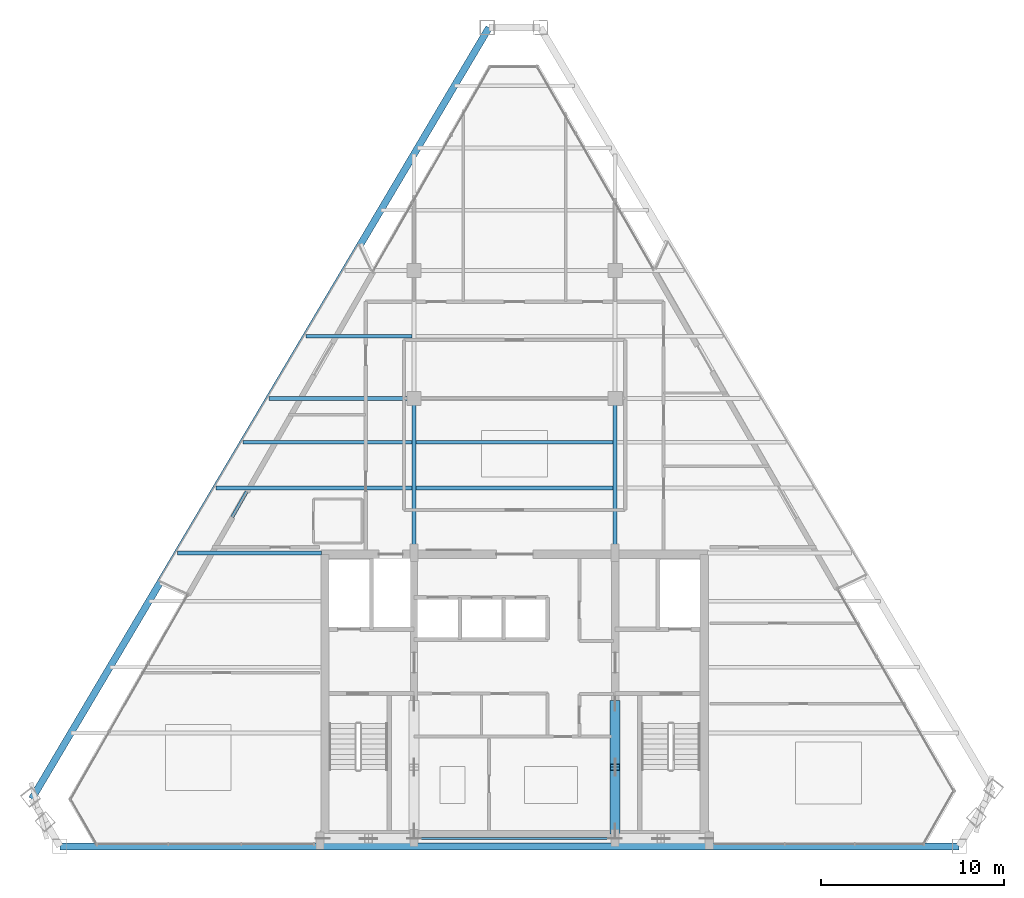
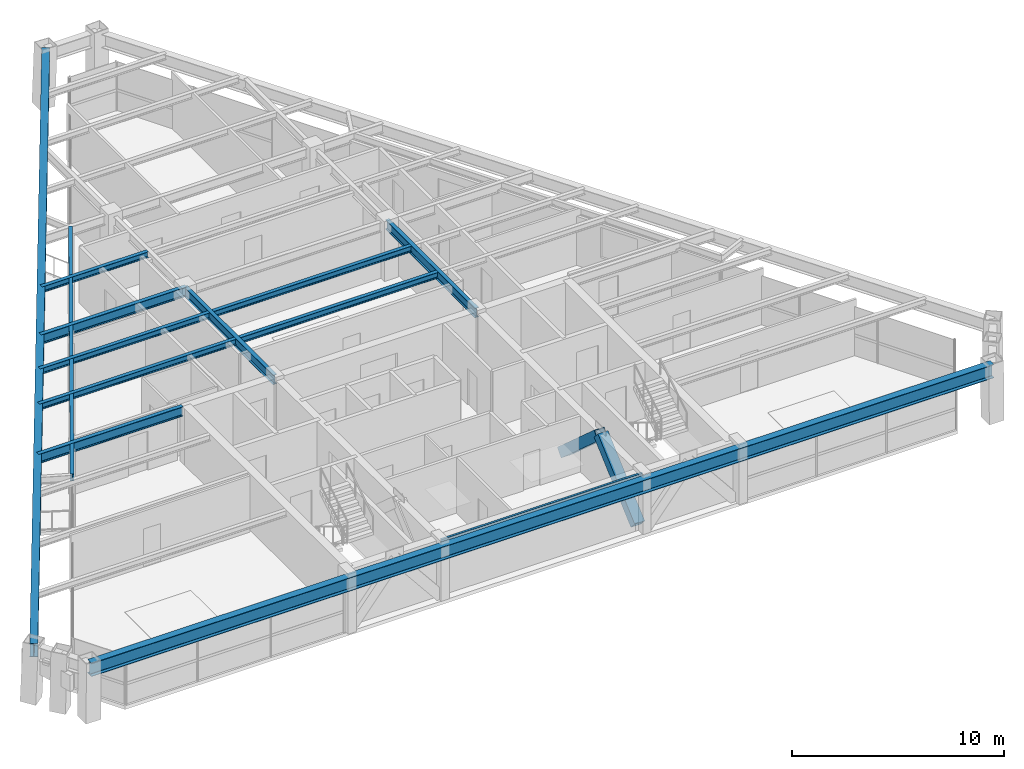
# One storey, part 3 of 13: 13 beams, 2 members.
"""IFC4 building model written with IfcOpenShell, lengths in metres."""

from ifc_helpers import new_model, si_unit, direction, frame, origin, origin_2d, place, context, subcontext, project, spatial, hollow_rectangle, i_section, extrude, source, transform, mapped, material, material_profile, profile_set, type_object, type_shapes, element, save


model = new_model("IFC4")

# Units and contexts
model_context = context("Model", 3, precision=1e-05, world=origin(), true_north=direction((0.0, 1.0)))
body_context = subcontext(model_context, "Body", "Model", "MODEL_VIEW")
ifc_project = project(units=[si_unit("LENGTHUNIT", "METRE"), si_unit("AREAUNIT", "SQUARE_METRE"), si_unit("VOLUMEUNIT", "CUBIC_METRE"), si_unit("PLANEANGLEUNIT", "RADIAN"), si_unit("MASSUNIT", "GRAM", prefix="KILO")], contexts=[model_context])

# Site, building, storey
site_placement = place(None, origin())
site = spatial("IfcSite", under=ifc_project, at=site_placement, CompositionType="ELEMENT")
building_placement = place(site_placement, origin())
building = spatial("IfcBuilding", under=site, at=building_placement, Name="Varnakhor Terracotta Tower", CompositionType="ELEMENT")
storey_placement = place(building_placement, frame((0.0, 0.0, 297.14990234375)))
storey = spatial("IfcBuildingStorey", under=building, at=storey_placement, Name="L78", CompositionType="ELEMENT", Elevation=297.14990234375)

# Beams
ifc_material = material(Name="Steel S355", Category="steel")
ifc_material_profile_1 = material_profile(ifc_material, i_section(OverallWidth=0.1201171875, OverallDepth=0.239990234375, WebThickness=0.006103515625, FlangeThickness=0.009765625, FilletRadius=0.01806640625, at=origin_2d()), Name="IPE240")
ifc_profile_set_1 = profile_set([ifc_material_profile_1], Name="Steel S355")
beam_type_1 = type_object("IfcBeamType", Name="LNT-IPE240", PredefinedType="LINTEL", material=ifc_profile_set_1)
shared_shape_1 = source(origin(), body_context, "Body", "SweptSolid", [
    extrude(i_section(OverallWidth=0.1201171875, OverallDepth=0.239990234375, WebThickness=0.006103515625, FlangeThickness=0.009765625, FilletRadius=0.01806640625, at=origin_2d()), origin(), (0.0, 0.0, 1.0), 11.0),
])
type_shapes(beam_type_1, [shared_shape_1])
beam_1_placement = place(storey_placement, frame((-5.5, 0.419921875, 3.1201171875), z_axis=(1.0, 0.0, 0.0), x_axis=(0.0, 1.0, 0.0)))
element("IfcBeam", 1, at=beam_1_placement, inside=storey, type_object=beam_type_1, Name="L78 Core South Coupling Lintel", PredefinedType="LINTEL", context=body_context, shape_type="MappedRepresentation", body=[
    mapped(shared_shape_1, transform((0.0, 0.0, 0.0), scale=1.0)),
])
ifc_material_profile_2 = material_profile(ifc_material, i_section(OverallWidth=0.214111328125, OverallDepth=0.549072265625, WebThickness=0.014892578125, FlangeThickness=0.02392578125, FilletRadius=0.01806640625, at=origin_2d()), Name="W21X93")
ifc_profile_set_2 = profile_set([ifc_material_profile_2], Name="Steel S355")
beam_type_2 = type_object("IfcBeamType", Name="BM-W21X93", PredefinedType="BEAM", material=ifc_profile_set_2)
shared_shape_2 = source(origin(), body_context, "Body", "SweptSolid", [
    extrude(i_section(OverallWidth=0.214111328125, OverallDepth=0.549072265625, WebThickness=0.014892578125, FlangeThickness=0.02392578125, FilletRadius=0.01806640625, at=origin_2d()), origin(), (0.0, 0.0, 1.0), 8.449951171875),
])
type_shapes(beam_type_2, [shared_shape_2])
for number, where, z_axis, x_axis, name in (
    (2, (-5.5, 16.050048828125, 2.965576171875), (0.0, 1.0, 0.0), (-1.0, 0.0, 0.0), "L78 Primary Girder NS1-W"),
    (3, (5.5, 16.050048828125, 2.965576171875), (0.0, 1.0, 0.0), (-1.0, 0.0, 0.0), "L78 Primary Girder NS1-E"),
):
    element("IfcBeam", number, at=place(storey_placement, frame(where, z_axis=z_axis, x_axis=x_axis)), inside=storey, type_object=beam_type_2, Name=name, PredefinedType="BEAM", context=body_context, shape_type="MappedRepresentation", body=[
        mapped(shared_shape_2, transform((0.0, 0.0, 0.0), scale=1.0)),
    ])
ifc_material_profile_3 = material_profile(ifc_material, i_section(OverallWidth=0.202880859375, OverallDepth=0.346923828125, WebThickness=0.0078125, FlangeThickness=0.013427734375, FilletRadius=0.01806640625, at=origin_2d()), Name="W14X43")
ifc_profile_set_3 = profile_set([ifc_material_profile_3], Name="Steel S355")
beam_type_3 = type_object("IfcBeamType", Name="JST-W14X43", PredefinedType="JOIST", material=ifc_profile_set_3)
shared_shape_3 = source(origin(), body_context, "Body", "SweptSolid", [
    extrude(i_section(OverallWidth=0.202880859375, OverallDepth=0.346923828125, WebThickness=0.0078125, FlangeThickness=0.013427734375, FilletRadius=0.01806640625, at=origin_2d()), origin(), (0.0, 0.0, 1.0), 10.7939453125),
])
for number, where, z_axis, x_axis, name in (
    (4, (-5.39697265625, 19.60009765625, 3.066650390625), (1.0, 0.0, 0.0), (0.0, 1.0, 0.0), "L78 Composite Floor Joist 4-2"),
    (5, (-5.39697265625, 22.10009765625, 3.066650390625), (1.0, 0.0, 0.0), (0.0, 1.0, 0.0), "L78 Composite Floor Joist 5-2"),
):
    element("IfcBeam", number, at=place(storey_placement, frame(where, z_axis=z_axis, x_axis=x_axis)), inside=storey, type_object=beam_type_3, Name=name, PredefinedType="JOIST", context=body_context, shape_type="MappedRepresentation", body=[
        mapped(shared_shape_3, transform((0.0, 0.0, 0.0), scale=1.0)),
    ])

# Members
ifc_material_profile_4 = material_profile(ifc_material, hollow_rectangle(XDim=0.550048828125, YDim=0.550048828125, WallThickness=0.034912109375, at=origin_2d()), Name="HSS550X550X35")
ifc_profile_set_4 = profile_set([ifc_material_profile_4], Name="Steel S355")
member_type = type_object("IfcMemberType", Name="MBR-MEGA-550", PredefinedType="BRACE", material=ifc_profile_set_4)
shared_shape_4 = source(origin(), body_context, "Body", "SweptSolid", [
    extrude(hollow_rectangle(XDim=0.550048828125, YDim=0.550048828125, WallThickness=0.034912109375, at=origin_2d()), origin(), (0.0, 0.0, 1.0), 4.650146484375),
])
for number, where, z_axis, x_axis, name in (
    (6, (5.5, 0.85009765625, 0.0), (0.0, 0.74726736397, 0.664523503532), (-1.0, 0.0, 0.0), "L78 Core Coupled Brace CWEA"),
    (7, (5.5, 7.800048828125, 0.0), (0.0, -0.74729054724, 0.664497432655), (1.0, 0.0, 0.0), "L78 Core Coupled Brace CWEB"),
):
    element("IfcMember", number, at=place(storey_placement, frame(where, z_axis=z_axis, x_axis=x_axis)), inside=storey, type_object=member_type, Name=name, PredefinedType="BRACE", context=body_context, shape_type="MappedRepresentation", body=[
        mapped(shared_shape_4, transform((0.0, 0.0, 0.0), scale=1.0)),
    ])

# Beams
shared_shape_5 = source(origin(), body_context, "Body", "SweptSolid", [
    extrude(i_section(OverallWidth=0.214111328125, OverallDepth=0.549072265625, WebThickness=0.014892578125, FlangeThickness=0.02392578125, FilletRadius=0.01806640625, at=origin_2d()), origin(), (0.0, 0.0, 1.0), 7.926513671875),
])
beam_2_placement = place(storey_placement, frame((-13.426513671875, 24.5, 2.965576171875), z_axis=(1.0, 0.0, 0.0), x_axis=(0.0, 1.0, 0.0)))
element("IfcBeam", 8, at=beam_2_placement, inside=storey, type_object=beam_type_2, Name="L78 Primary Girder EW2-1", PredefinedType="BEAM", context=body_context, shape_type="MappedRepresentation", body=[
    mapped(shared_shape_5, transform((0.0, 0.0, 0.0), scale=1.0)),
])
ifc_material_profile_5 = material_profile(ifc_material, i_section(OverallWidth=0.381103515625, OverallDepth=0.77294921875, WebThickness=0.01708984375, FlangeThickness=0.027099609375, FilletRadius=0.01806640625, at=origin_2d()), Name="W30X173")
ifc_profile_set_5 = profile_set([ifc_material_profile_5], Name="Steel S355")
beam_type_4 = type_object("IfcBeamType", Name="BM-W30X173", PredefinedType="BEAM", material=ifc_profile_set_5)
shared_shape_6 = source(origin(), body_context, "Body", "SweptSolid", [
    extrude(i_section(OverallWidth=0.381103515625, OverallDepth=0.77294921875, WebThickness=0.01708984375, FlangeThickness=0.027099609375, FilletRadius=0.01806640625, at=origin_2d()), origin(), (0.0, 0.0, 1.0), 49.19189453125),
])
beam_3_placement = place(storey_placement, frame((-24.87548828125, 0.0, 2.853515625), z_axis=(1.0, 0.0, 0.0), x_axis=(0.0, 1.0, 0.0)))
element("IfcBeam", 9, at=beam_3_placement, inside=storey, type_object=beam_type_4, Name="L78 Perimeter Spandrel 1", PredefinedType="BEAM", context=body_context, shape_type="MappedRepresentation", body=[
    mapped(shared_shape_6, transform((0.0, 0.0, 0.0), scale=1.0)),
])
shared_shape_7 = source(origin(), body_context, "Body", "SweptSolid", [
    extrude(i_section(OverallWidth=0.381103515625, OverallDepth=0.77294921875, WebThickness=0.01708984375, FlangeThickness=0.027099609375, FilletRadius=0.01806640625, at=origin_2d()), origin(), (0.0, 0.0, 1.0), 49.056396484375),
])
beam_4_placement = place(storey_placement, frame((-1.3974609375, 44.79248046875, 2.853515625), z_axis=(-0.509925979796, -0.86021828342, 0.0), x_axis=(0.86021828342, -0.509925979796, 0.0)))
element("IfcBeam", 10, at=beam_4_placement, inside=storey, type_object=beam_type_4, Name="L78 Perimeter Spandrel 6", PredefinedType="BEAM", context=body_context, shape_type="MappedRepresentation", body=[
    mapped(shared_shape_7, transform((0.0, 0.0, 0.0), scale=1.0)),
])
ifc_material_profile_6 = material_profile(ifc_material, i_section(OverallWidth=0.179931640625, OverallDepth=0.39990234375, WebThickness=0.008544921875, FlangeThickness=0.013427734375, FilletRadius=0.01806640625, at=origin_2d()), Name="IPE400")
ifc_profile_set_6 = profile_set([ifc_material_profile_6], Name="Steel S355")
beam_type_5 = type_object("IfcBeamType", Name="JST-IPE400", PredefinedType="JOIST", material=ifc_profile_set_6)
shared_shape_8 = source(origin(), body_context, "Body", "SweptSolid", [
    extrude(i_section(OverallWidth=0.179931640625, OverallDepth=0.39990234375, WebThickness=0.008544921875, FlangeThickness=0.013427734375, FilletRadius=0.01806640625, at=origin_2d()), origin(), (0.0, 0.0, 1.0), 20.417236328125),
])
beam_5_placement = place(storey_placement, frame((-7.740478515625, 31.472900390625, 3.0400390625), z_axis=(-0.496660385715, -0.867944964419, 0.0), x_axis=(0.867944964419, -0.496660385715, 0.0)))
element("IfcBeam", 11, at=beam_5_placement, inside=storey, type_object=beam_type_5, Name="L78 Loggia Edge Beam 2", PredefinedType="JOIST", context=body_context, shape_type="MappedRepresentation", body=[
    mapped(shared_shape_8, transform((0.0, 0.0, 0.0), scale=1.0)),
])
shared_shape_9 = source(origin(), body_context, "Body", "SweptSolid", [
    extrude(i_section(OverallWidth=0.214111328125, OverallDepth=0.549072265625, WebThickness=0.014892578125, FlangeThickness=0.02392578125, FilletRadius=0.01806640625, at=origin_2d()), origin(), (0.0, 0.0, 1.0), 7.8857421875),
])
beam_6_placement = place(storey_placement, frame((-18.435791015625, 16.050048828125, 2.965576171875), z_axis=(1.0, 0.0, 0.0), x_axis=(0.0, 1.0, 0.0)))
element("IfcBeam", 12, at=beam_6_placement, inside=storey, type_object=beam_type_2, Name="L78 Wing Girder W", PredefinedType="BEAM", context=body_context, shape_type="MappedRepresentation", body=[
    mapped(shared_shape_9, transform((0.0, 0.0, 0.0), scale=1.0)),
])
shared_shape_10 = source(origin(), body_context, "Body", "SweptSolid", [
    extrude(i_section(OverallWidth=0.202880859375, OverallDepth=0.346923828125, WebThickness=0.0078125, FlangeThickness=0.013427734375, FilletRadius=0.01806640625, at=origin_2d()), origin(), (0.0, 0.0, 1.0), 10.728271484375),
])
beam_7_placement = place(storey_placement, frame((-16.331298828125, 19.60009765625, 3.066650390625), z_axis=(1.0, 0.0, 0.0), x_axis=(0.0, 1.0, 0.0)))
element("IfcBeam", 13, at=beam_7_placement, inside=storey, type_object=beam_type_3, Name="L78 Composite Floor Joist 4-1", PredefinedType="JOIST", context=body_context, shape_type="MappedRepresentation", body=[
    mapped(shared_shape_10, transform((0.0, 0.0, 0.0), scale=1.0)),
])
shared_shape_11 = source(origin(), body_context, "Body", "SweptSolid", [
    extrude(i_section(OverallWidth=0.202880859375, OverallDepth=0.346923828125, WebThickness=0.0078125, FlangeThickness=0.013427734375, FilletRadius=0.01806640625, at=origin_2d()), origin(), (0.0, 0.0, 1.0), 9.246337890625),
])
beam_8_placement = place(storey_placement, frame((-14.849365234375, 22.10009765625, 3.066650390625), z_axis=(1.0, 0.0, 0.0), x_axis=(0.0, 1.0, 0.0)))
element("IfcBeam", 14, at=beam_8_placement, inside=storey, type_object=beam_type_3, Name="L78 Composite Floor Joist 5-1", PredefinedType="JOIST", context=body_context, shape_type="MappedRepresentation", body=[
    mapped(shared_shape_11, transform((0.0, 0.0, 0.0), scale=1.0)),
])
shared_shape_12 = source(origin(), body_context, "Body", "SweptSolid", [
    extrude(i_section(OverallWidth=0.202880859375, OverallDepth=0.346923828125, WebThickness=0.0078125, FlangeThickness=0.013427734375, FilletRadius=0.01806640625, at=origin_2d()), origin(), (0.0, 0.0, 1.0), 5.80810546875),
])
beam_9_placement = place(storey_placement, frame((-11.4111328125, 27.89990234375, 3.066650390625), z_axis=(1.0, 0.0, 0.0), x_axis=(0.0, 1.0, 0.0)))
element("IfcBeam", 15, at=beam_9_placement, inside=storey, type_object=beam_type_3, Name="L78 Composite Floor Joist 6-1", PredefinedType="JOIST", context=body_context, shape_type="MappedRepresentation", body=[
    mapped(shared_shape_12, transform((0.0, 0.0, 0.0), scale=1.0)),
])

save(model, "model.ifc")
